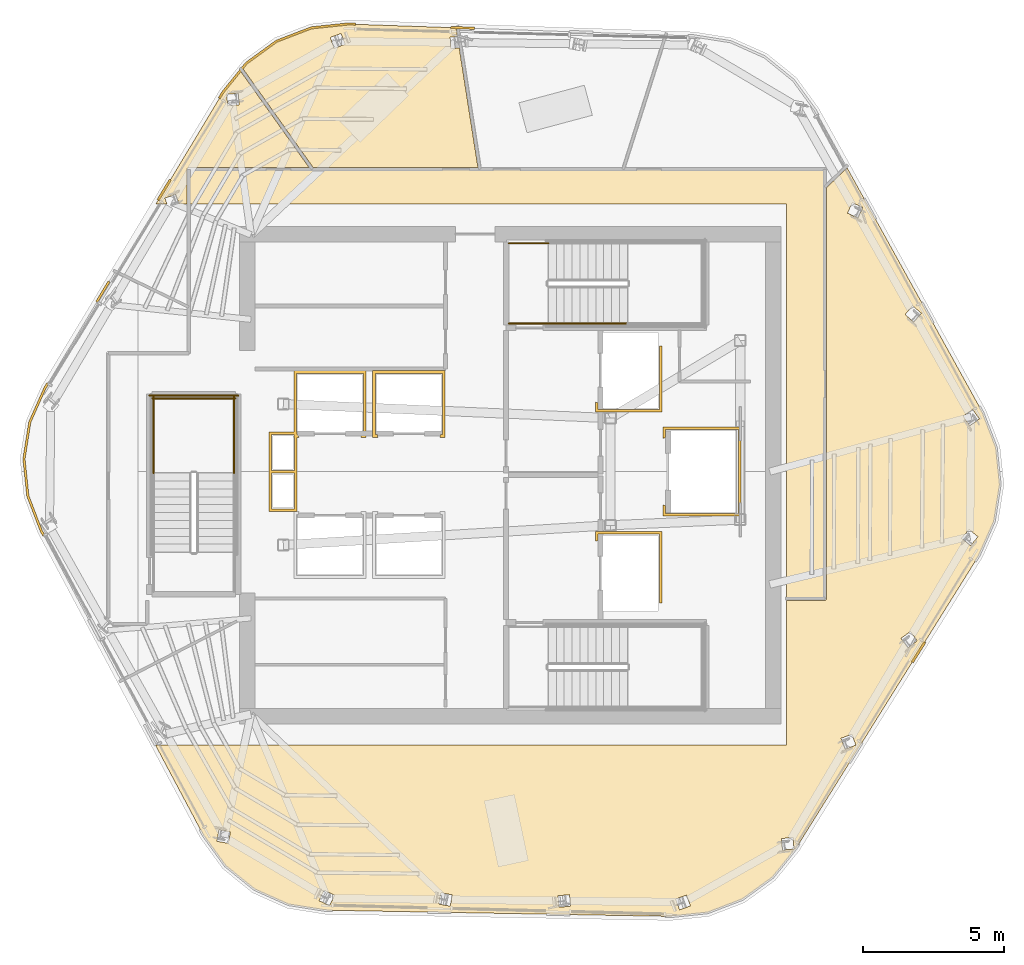
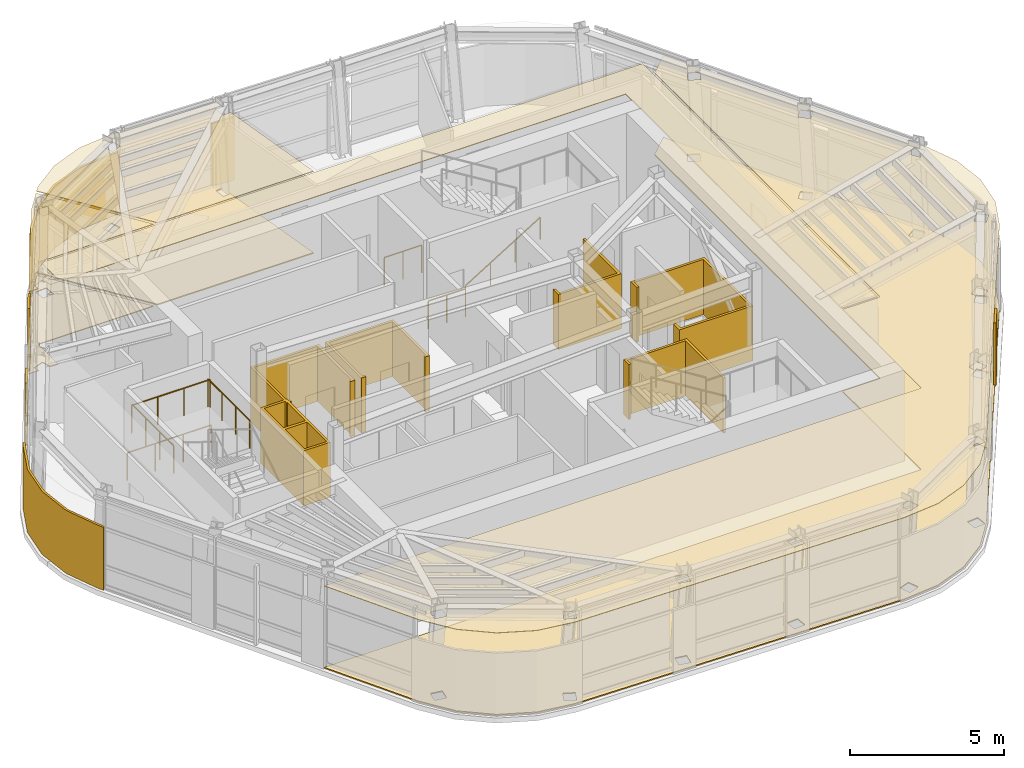
# One storey, part 11 of 13: 18 coverings, 7 railings.
"""IFC4 building model written with IfcOpenShell, lengths in metres."""

from ifc_helpers import new_model, si_unit, direction, frame, origin, origin_2d, place, context, subcontext, project, spatial, polyline, circle, outline, extrude, material, layer, layer_set, type_object, element, save


model = new_model("IFC4")

# Units and contexts
model_context = context("Model", 3, precision=1e-05, world=origin(), true_north=direction((0.0, 1.0)))
body_context = subcontext(model_context, "Body", "Model", "MODEL_VIEW")
ifc_project = project(units=[si_unit("LENGTHUNIT", "METRE"), si_unit("AREAUNIT", "SQUARE_METRE"), si_unit("VOLUMEUNIT", "CUBIC_METRE"), si_unit("PLANEANGLEUNIT", "RADIAN"), si_unit("MASSUNIT", "GRAM", prefix="KILO")], contexts=[model_context])

# Site, building, storey
site_placement = place(None, origin())
site = spatial("IfcSite", under=ifc_project, at=site_placement, CompositionType="ELEMENT")
building_placement = place(site_placement, origin())
building = spatial("IfcBuilding", under=site, at=building_placement, Name="Valkerne Bourse Tower", CompositionType="ELEMENT")
storey_placement = place(building_placement, frame((0.0, 0.0, 277.39990234375)))
storey = spatial("IfcBuildingStorey", under=building, at=storey_placement, Name="L70", CompositionType="ELEMENT", Elevation=277.39990234375)

# Coverings
ifc_material_1 = material(Name="Mineral Fiber Acoustic Ceiling Tile", Category="acoustic")
ifc_layer_1 = layer(ifc_material_1, 0.02490234375)
ifc_layer_set_1 = layer_set([ifc_layer_1], Name="Mineral Fiber Acoustic Ceiling Tile")
covering_type_1 = type_object("IfcCoveringType", Name="COV-CEIL-ACT", PredefinedType="CEILING", material=ifc_layer_set_1)
covering_1_placement = place(storey_placement, frame((0.0, 0.0, 3.25)))
element("IfcCovering", 1, at=covering_1_placement, inside=storey, type_object=covering_type_1, Name="L70 Suspended Ceiling 03", PredefinedType="CEILING", context=body_context, shape_type="SweptSolid", body=[
    extrude(outline(polyline([(39.660400390625, 37.7890625), (35.399658203125, 37.7890625), (35.37109375, 37.78271484375), (35.34814453125, 37.765869140625), (35.3310546875, 37.720703125), (35.3310546875, 36.5), (35.055908203125, 36.5), (34.93603515625, 36.836181640625), (34.55078125, 36.69970703125), (34.54931640625, 36.697998046875), (34.6201171875, 36.5), (34.23095703125, 36.5), (36.609619140625, 40.454345703125), (37.2255859375, 41.215087890625), (39.660400390625, 37.7890625)]), holes=[polyline([(37.18310546875, 40.01025390625), (37.18505859375, 40.01171875), (37.150146484375, 40.416748046875), (36.742919921875, 40.382568359375), (36.740966796875, 40.381103515625), (36.77587890625, 39.97607421875), (37.18310546875, 40.01025390625)])]), origin(), (0.0, 0.0, 1.0), 0.025146484375),
])
covering_2_placement = place(storey_placement, frame((0.0, 0.0, 3.25)))
element("IfcCovering", 2, at=covering_2_placement, inside=storey, type_object=covering_type_1, Name="L70 Suspended Ceiling 06", PredefinedType="CEILING", context=body_context, shape_type="SweptSolid", body=[
    extrude(outline(polyline([(39.7451171875, 42.7353515625), (41.06640625, 42.8740234375), (44.875, 42.742919921875), (44.923583984375, 42.43310546875), (44.666748046875, 42.408935546875), (44.66455078125, 42.40869140625), (44.70263671875, 42.001220703125), (44.987060546875, 42.02783203125), (45.65087890625, 37.7890625), (39.804931640625, 37.7890625), (37.302490234375, 41.310302734375), (37.44580078125, 41.48681640625), (38.51318359375, 42.262451171875), (39.7451171875, 42.7353515625)]), holes=[polyline([(40.93701171875, 42.15478515625), (40.796875, 42.53955078125), (40.41552734375, 42.400634765625), (40.413330078125, 42.39990234375), (40.553466796875, 42.01513671875), (40.934814453125, 42.154052734375), (40.93701171875, 42.15478515625)])]), origin(), (0.0, 0.0, 1.0), 0.025146484375),
])
covering_3_placement = place(storey_placement, frame((0.0, 0.0, 3.25)))
element("IfcCovering", 3, at=covering_3_placement, inside=storey, type_object=covering_type_1, Name="L70 Suspended Ceiling 08", PredefinedType="CEILING", context=body_context, shape_type="SweptSolid", body=[
    extrude(outline(polyline([(63.95458984375, 25.2421875), (63.414306640625, 24.0283203125), (56.935302734375, 13.64892578125), (56.0986328125, 12.61572265625), (55.031005859375, 11.840087890625), (53.79931640625, 11.3671875), (52.476806640625, 11.228271484375), (40.243408203125, 11.44775390625), (38.93115234375, 11.655517578125), (37.725830078125, 12.192138671875), (36.7001953125, 13.022705078125), (35.91943359375, 14.097412109375), (34.214599609375, 17.300048828125), (56.60009765625, 17.300048828125), (56.60009765625, 22.430908203125), (57.95361328125, 22.43115234375), (57.99609375, 22.448486328125), (58.018310546875, 22.489990234375), (58.01904296875, 37.078369140625), (58.744384765625, 37.772216796875), (63.547119140625, 29.097900390625), (64.023193359375, 27.857666015625), (64.1611328125, 26.54541015625), (63.95458984375, 25.2421875)]), holes=[polyline([(44.34033203125, 12.0673828125), (44.338134765625, 12.067626953125), (44.263916015625, 11.6650390625), (44.6630859375, 11.59130859375), (44.665283203125, 11.591064453125), (44.739501953125, 11.99365234375), (44.34033203125, 12.0673828125)]), polyline([(40.1943359375, 12.15380859375), (40.192138671875, 12.154541015625), (40.018310546875, 11.783935546875), (40.385986328125, 11.61181640625), (40.387939453125, 11.610595703125), (40.561767578125, 11.981201171875), (40.1943359375, 12.15380859375)]), polyline([(36.86767578125, 14.22265625), (36.465087890625, 14.293212890625), (36.394287109375, 13.892822265625), (36.396240234375, 13.891357421875), (36.798583984375, 13.82080078125), (36.869384765625, 14.22119140625), (36.86767578125, 14.22265625)]), polyline([(53.186767578125, 11.60009765625), (53.046630859375, 11.98486328125), (52.665283203125, 11.845947265625), (52.6630859375, 11.84521484375), (52.802978515625, 11.46044921875), (53.1845703125, 11.599365234375), (53.186767578125, 11.60009765625)]), polyline([(48.935546875, 11.59130859375), (48.8974609375, 11.998779296875), (48.4931640625, 11.9609375), (48.490966796875, 11.960693359375), (48.529052734375, 11.55322265625), (48.933349609375, 11.591064453125), (48.935546875, 11.59130859375)]), polyline([(56.85888671875, 13.618896484375), (56.82421875, 14.02392578125), (56.4169921875, 13.98974609375), (56.4150390625, 13.98828125), (56.449951171875, 13.583251953125), (56.857177734375, 13.617431640625), (56.85888671875, 13.618896484375)]), polyline([(59.050537109375, 17.302001953125), (58.9140625, 17.684814453125), (58.52880859375, 17.54833984375), (58.527587890625, 17.546630859375), (58.663818359375, 17.163818359375), (59.04931640625, 17.30029296875), (59.050537109375, 17.302001953125)]), polyline([(61.225830078125, 20.998291015625), (60.990478515625, 21.32958984375), (60.656982421875, 21.093505859375), (60.656005859375, 21.091552734375), (60.891357421875, 20.760009765625), (61.22509765625, 20.99609375), (61.225830078125, 20.998291015625)]), polyline([(63.380615234375, 24.69287109375), (63.068603515625, 24.95361328125), (62.805908203125, 24.640869140625), (62.805419921875, 24.638427734375), (63.1171875, 24.377685546875), (63.380126953125, 24.6904296875), (63.380615234375, 24.69287109375)]), polyline([(63.4306640625, 28.87060546875), (63.19677734375, 29.20556640625), (62.86279296875, 28.973388671875), (62.86328125, 28.97119140625), (63.09716796875, 28.635986328125), (63.430908203125, 28.868408203125), (63.4306640625, 28.87060546875)]), polyline([(61.37451171875, 32.6181640625), (61.063232421875, 32.8828125), (60.79931640625, 32.57373046875), (60.800048828125, 32.571533203125), (61.111328125, 32.306884765625), (61.375244140625, 32.615966796875), (61.37451171875, 32.6181640625)]), polyline([(59.2978515625, 36.369384765625), (58.92626953125, 36.53955078125), (58.75634765625, 36.170166015625), (58.757568359375, 36.16845703125), (59.129150390625, 35.998291015625), (59.299072265625, 36.36767578125), (59.2978515625, 36.369384765625)])]), origin(), (0.0, 0.0, 1.0), 0.025146484375),
])
ifc_material_2 = material(Name="Bronze Anodised Aluminium AA 6063-T6", Category="aluminium")
ifc_layer_2 = layer(ifc_material_2, 0.030029296875)
ifc_layer_set_2 = layer_set([ifc_layer_2], Name="Bronze Anodised Aluminium AA 6063-T6")
covering_type_2 = type_object("IfcCoveringType", Name="COV-CEIL-METAL", PredefinedType="CEILING", material=ifc_layer_set_2)
covering_4_placement = place(storey_placement, frame((0.0, 0.0, 3.25)))
element("IfcCovering", 4, at=covering_4_placement, inside=storey, type_object=covering_type_2, Name="L70 Suspended Ceiling 01", PredefinedType="CEILING", context=body_context, shape_type="SweptSolid", body=[
    extrude(outline(polyline([(35.404052734375, 37.716064453125), (57.946044921875, 37.716064453125), (57.946044921875, 22.50390625), (56.60009765625, 22.50390625), (56.60009765625, 36.5), (35.404052734375, 36.5), (35.404052734375, 37.716064453125)])), origin(), (0.0, 0.0, 1.0), 0.025146484375),
])
ifc_layer_3 = layer(ifc_material_2, 0.06005859375)
ifc_layer_set_3 = layer_set([ifc_layer_3], Name="Bronze Anodised Aluminium AA 6063-T6")
covering_type_3 = type_object("IfcCoveringType", Name="COV-CRN-ALUM", PredefinedType="CLADDING", material=ifc_layer_set_3)
covering_5_placement = place(storey_placement, origin())
element("IfcCovering", 5, at=covering_5_placement, inside=storey, type_object=covering_type_3, Name="L70 Wind-Shaped Corner Aluminium Cladding 02", PredefinedType="CLADDING", context=body_context, shape_type="SweptSolid", body=[
    extrude(outline(polyline([(61.08935546875, 20.220703125), (61.021240234375, 20.2626953125), (61.466064453125, 20.97509765625), (61.5341796875, 20.933349609375), (61.08935546875, 20.220703125)])), origin(), (0.0, 0.0, 1.0), 2.5),
])
covering_6_placement = place(storey_placement, origin())
element("IfcCovering", 6, at=covering_6_placement, inside=storey, type_object=covering_type_3, Name="L70 Wind-Shaped Corner Aluminium Cladding 10", PredefinedType="CLADDING", context=body_context, shape_type="SweptSolid", body=[
    extrude(outline(polyline([(30.1298828125, 24.879638671875), (29.650390625, 26.12890625), (29.51123046875, 27.452880859375), (29.719482421875, 28.767578125), (30.263916015625, 29.989990234375), (30.36328125, 30.1552734375), (30.431396484375, 30.11328125), (30.334716796875, 29.952880859375), (29.796875, 28.744384765625), (29.591796875, 27.45068359375), (29.728759765625, 26.147705078125), (30.202880859375, 24.912841796875), (30.290771484375, 24.74755859375), (30.220458984375, 24.70947265625), (30.1298828125, 24.879638671875)])), origin(), (0.0, 0.0, 1.0), 2.5),
])
covering_7_placement = place(storey_placement, origin())
element("IfcCovering", 7, at=covering_7_placement, inside=storey, type_object=covering_type_3, Name="L70 Wind-Shaped Corner Aluminium Cladding 11", PredefinedType="CLADDING", context=body_context, shape_type="SweptSolid", body=[
    extrude(outline(polyline([(32.5341796875, 33.7646484375), (32.6025390625, 33.722900390625), (32.169677734375, 33.0029296875), (32.101318359375, 33.044921875), (32.5341796875, 33.7646484375)])), origin(), (0.0, 0.0, 1.0), 2.5),
])
covering_8_placement = place(storey_placement, origin())
element("IfcCovering", 8, at=covering_8_placement, inside=storey, type_object=covering_type_3, Name="L70 Wind-Shaped Corner Aluminium Cladding 12", PredefinedType="CLADDING", context=body_context, shape_type="SweptSolid", body=[
    extrude(outline(polyline([(34.70556640625, 37.374267578125), (34.773681640625, 37.33251953125), (34.3408203125, 36.612548828125), (34.2724609375, 36.654296875), (34.70556640625, 37.374267578125)])), origin(), (0.0, 0.0, 1.0), 2.5),
])
covering_9_placement = place(storey_placement, origin())
element("IfcCovering", 9, at=covering_9_placement, inside=storey, type_object=covering_type_3, Name="L70 Wind-Shaped Corner Aluminium Cladding 13", PredefinedType="CLADDING", context=body_context, shape_type="SweptSolid", body=[
    extrude(outline(polyline([(36.573486328125, 40.479736328125), (37.4150390625, 41.51904296875), (38.491943359375, 42.301513671875), (39.734619140625, 42.7783203125), (41.064697265625, 42.918212890625), (41.316650390625, 42.909423828125), (41.314453125, 42.82958984375), (41.0673828125, 42.838134765625), (39.753662109375, 42.699951171875), (38.530517578125, 42.23046875), (37.470703125, 41.46044921875), (36.63916015625, 40.43359375), (36.51171875, 40.221923828125), (36.443603515625, 40.263671875), (36.573486328125, 40.479736328125)])), origin(), (0.0, 0.0, 1.0), 2.5),
])
covering_10_placement = place(storey_placement, origin())
element("IfcCovering", 10, at=covering_10_placement, inside=storey, type_object=covering_type_3, Name="L70 Wind-Shaped Corner Aluminium Cladding 14", PredefinedType="CLADDING", context=body_context, shape_type="SweptSolid", body=[
    extrude(outline(polyline([(45.5263671875, 42.7646484375), (45.524169921875, 42.6845703125), (44.6845703125, 42.71337890625), (44.686767578125, 42.79345703125), (45.5263671875, 42.7646484375)])), origin(), (0.0, 0.0, 1.0), 2.5),
])
ifc_material_3 = material(Name="Galvanised Painted Steel", Category="steel")
ifc_layer_4 = layer(ifc_material_3, 0.044921875)
ifc_layer_set_4 = layer_set([ifc_layer_4], Name="Galvanised Painted Steel")
covering_type_4 = type_object("IfcCoveringType", Name="COV-FLR-RAF", PredefinedType="FLOORING", material=ifc_layer_set_4)
covering_11_placement = place(storey_placement, origin())
element("IfcCovering", 11, at=covering_11_placement, inside=storey, type_object=covering_type_4, Name="L70 Floor Finish 06", PredefinedType="FLOORING", context=body_context, shape_type="SweptSolid", body=[
    extrude(outline(polyline([(39.7451171875, 42.7353515625), (41.06640625, 42.8740234375), (44.875, 42.742919921875), (44.923583984375, 42.43310546875), (44.666748046875, 42.408935546875), (44.66455078125, 42.40869140625), (44.70263671875, 42.001220703125), (44.987060546875, 42.02783203125), (45.65087890625, 37.7890625), (39.804931640625, 37.7890625), (37.302490234375, 41.310302734375), (37.44580078125, 41.48681640625), (38.51318359375, 42.262451171875), (39.7451171875, 42.7353515625)]), holes=[polyline([(40.93701171875, 42.15478515625), (40.796875, 42.53955078125), (40.41552734375, 42.400634765625), (40.413330078125, 42.39990234375), (40.553466796875, 42.01513671875), (40.934814453125, 42.154052734375), (40.93701171875, 42.15478515625)])]), origin(), (0.0, 0.0, 1.0), 0.045166015625),
])
covering_12_placement = place(storey_placement, origin())
element("IfcCovering", 12, at=covering_12_placement, inside=storey, type_object=covering_type_4, Name="L70 Floor Finish 08", PredefinedType="FLOORING", context=body_context, shape_type="SweptSolid", body=[
    extrude(outline(polyline([(63.95458984375, 25.2421875), (63.414306640625, 24.0283203125), (56.935302734375, 13.64892578125), (56.0986328125, 12.61572265625), (55.031005859375, 11.840087890625), (53.79931640625, 11.3671875), (52.476806640625, 11.228271484375), (40.243408203125, 11.44775390625), (38.93115234375, 11.655517578125), (37.725830078125, 12.192138671875), (36.7001953125, 13.022705078125), (35.91943359375, 14.097412109375), (34.214599609375, 17.300048828125), (56.60009765625, 17.300048828125), (56.60009765625, 22.430908203125), (57.95361328125, 22.43115234375), (57.99609375, 22.448486328125), (58.018310546875, 22.489990234375), (58.01904296875, 37.078369140625), (58.744384765625, 37.772216796875), (63.547119140625, 29.097900390625), (64.023193359375, 27.857666015625), (64.1611328125, 26.54541015625), (63.95458984375, 25.2421875)]), holes=[polyline([(44.34033203125, 12.0673828125), (44.338134765625, 12.067626953125), (44.263916015625, 11.6650390625), (44.6630859375, 11.59130859375), (44.665283203125, 11.591064453125), (44.739501953125, 11.99365234375), (44.34033203125, 12.0673828125)]), polyline([(40.1943359375, 12.15380859375), (40.192138671875, 12.154541015625), (40.018310546875, 11.783935546875), (40.385986328125, 11.61181640625), (40.387939453125, 11.610595703125), (40.561767578125, 11.981201171875), (40.1943359375, 12.15380859375)]), polyline([(36.86767578125, 14.22265625), (36.465087890625, 14.293212890625), (36.394287109375, 13.892822265625), (36.396240234375, 13.891357421875), (36.798583984375, 13.82080078125), (36.869384765625, 14.22119140625), (36.86767578125, 14.22265625)]), polyline([(53.186767578125, 11.60009765625), (53.046630859375, 11.98486328125), (52.665283203125, 11.845947265625), (52.6630859375, 11.84521484375), (52.802978515625, 11.46044921875), (53.1845703125, 11.599365234375), (53.186767578125, 11.60009765625)]), polyline([(48.935546875, 11.59130859375), (48.8974609375, 11.998779296875), (48.4931640625, 11.9609375), (48.490966796875, 11.960693359375), (48.529052734375, 11.55322265625), (48.933349609375, 11.591064453125), (48.935546875, 11.59130859375)]), polyline([(56.85888671875, 13.618896484375), (56.82421875, 14.02392578125), (56.4169921875, 13.98974609375), (56.4150390625, 13.98828125), (56.449951171875, 13.583251953125), (56.857177734375, 13.617431640625), (56.85888671875, 13.618896484375)]), polyline([(59.050537109375, 17.302001953125), (58.9140625, 17.684814453125), (58.52880859375, 17.54833984375), (58.527587890625, 17.546630859375), (58.663818359375, 17.163818359375), (59.04931640625, 17.30029296875), (59.050537109375, 17.302001953125)]), polyline([(61.225830078125, 20.998291015625), (60.990478515625, 21.32958984375), (60.656982421875, 21.093505859375), (60.656005859375, 21.091552734375), (60.891357421875, 20.760009765625), (61.22509765625, 20.99609375), (61.225830078125, 20.998291015625)]), polyline([(63.380615234375, 24.69287109375), (63.068603515625, 24.95361328125), (62.805908203125, 24.640869140625), (62.805419921875, 24.638427734375), (63.1171875, 24.377685546875), (63.380126953125, 24.6904296875), (63.380615234375, 24.69287109375)]), polyline([(63.4306640625, 28.87060546875), (63.19677734375, 29.20556640625), (62.86279296875, 28.973388671875), (62.86328125, 28.97119140625), (63.09716796875, 28.635986328125), (63.430908203125, 28.868408203125), (63.4306640625, 28.87060546875)]), polyline([(61.37451171875, 32.6181640625), (61.063232421875, 32.8828125), (60.79931640625, 32.57373046875), (60.800048828125, 32.571533203125), (61.111328125, 32.306884765625), (61.375244140625, 32.615966796875), (61.37451171875, 32.6181640625)]), polyline([(59.2978515625, 36.369384765625), (58.92626953125, 36.53955078125), (58.75634765625, 36.170166015625), (58.757568359375, 36.16845703125), (59.129150390625, 35.998291015625), (59.299072265625, 36.36767578125), (59.2978515625, 36.369384765625)])]), origin(), (0.0, 0.0, 1.0), 0.045166015625),
])
ifc_material_4 = material(Name="Polished Granite Stone", Category="masonry")
ifc_layer_5 = layer(ifc_material_4, 0.030029296875)
ifc_layer_set_5 = layer_set([ifc_layer_5], Name="Polished Granite Stone")
covering_type_5 = type_object("IfcCoveringType", Name="COV-FLR-TERRAZZO", PredefinedType="FLOORING", material=ifc_layer_set_5)
covering_13_placement = place(storey_placement, origin())
element("IfcCovering", 13, at=covering_13_placement, inside=storey, type_object=covering_type_5, Name="L70 Floor Finish 03", PredefinedType="FLOORING", context=body_context, shape_type="SweptSolid", body=[
    extrude(outline(polyline([(39.660400390625, 37.7890625), (35.399658203125, 37.7890625), (35.37109375, 37.78271484375), (35.34814453125, 37.765869140625), (35.3310546875, 37.720703125), (35.3310546875, 36.5), (35.055908203125, 36.5), (34.93603515625, 36.836181640625), (34.55078125, 36.69970703125), (34.54931640625, 36.697998046875), (34.6201171875, 36.5), (34.23095703125, 36.5), (36.609619140625, 40.454345703125), (37.2255859375, 41.215087890625), (39.660400390625, 37.7890625)]), holes=[polyline([(37.18310546875, 40.01025390625), (37.18505859375, 40.01171875), (37.150146484375, 40.416748046875), (36.742919921875, 40.382568359375), (36.740966796875, 40.381103515625), (36.77587890625, 39.97607421875), (37.18310546875, 40.01025390625)])]), origin(), (0.0, 0.0, 1.0), 0.030029296875),
])
ifc_material_5 = material(Name="Gypsum Shaftwall Liner Board", Category="gypsum")
ifc_layer_6 = layer(ifc_material_5, 0.080078125)
ifc_layer_set_6 = layer_set([ifc_layer_6], Name="Gypsum Shaftwall Liner Board")
covering_type_6 = type_object("IfcCoveringType", Name="COV-SHF-CLAD", PredefinedType="CLADDING", material=ifc_layer_set_6)
covering_14_placement = place(storey_placement, origin())
element("IfcCovering", 14, at=covering_14_placement, inside=storey, type_object=covering_type_6, Name="L70 Hoistway & Riser Shaftwall Liner 01", PredefinedType="CLADDING", context=body_context, shape_type="SweptSolid", body=[
    extrude(outline(polyline([(52.179931640625, 24.8798828125), (52.179931640625, 22.35009765625), (52.090087890625, 22.35009765625), (52.090087890625, 24.7900390625), (49.909912109375, 24.7900390625), (49.909912109375, 24.560791015625), (49.869384765625, 24.550537109375), (49.827880859375, 24.53564453125), (49.820068359375, 24.531982421875), (49.820068359375, 24.8798828125), (52.179931640625, 24.8798828125)])), origin(), (0.0, 0.0, 1.0), 2.18017578125),
])
covering_15_placement = place(storey_placement, origin())
element("IfcCovering", 15, at=covering_15_placement, inside=storey, type_object=covering_type_6, Name="L70 Hoistway & Riser Shaftwall Liner 04", PredefinedType="CLADDING", context=body_context, shape_type="SweptSolid", body=[
    extrude(outline(polyline([(38.239990234375, 27.0400390625), (38.239990234375, 28.409912109375), (39.1201171875, 28.409912109375), (39.1201171875, 30.580078125), (41.679931640625, 30.580078125), (41.679931640625, 28.219970703125), (41.500732421875, 28.219970703125), (41.511474609375, 28.26220703125), (41.517822265625, 28.305908203125), (41.51806640625, 28.31005859375), (41.590087890625, 28.31005859375), (41.590087890625, 30.489990234375), (39.2099609375, 30.489990234375), (39.2099609375, 28.409912109375), (39.239990234375, 28.409912109375), (39.239990234375, 28.31005859375), (39.281982421875, 28.31005859375), (39.2822265625, 28.305908203125), (39.28857421875, 28.26220703125), (39.29931640625, 28.219970703125), (39.239990234375, 28.219970703125), (39.239990234375, 27.0400390625), (39.239990234375, 26.9599609375), (39.239990234375, 25.590087890625), (38.239990234375, 25.590087890625), (38.239990234375, 26.9599609375), (38.239990234375, 27.0400390625)]), holes=[polyline([(39.14990234375, 26.949951171875), (38.330078125, 26.949951171875), (38.330078125, 25.679931640625), (39.14990234375, 25.679931640625), (39.14990234375, 26.949951171875)]), polyline([(39.14990234375, 28.219970703125), (39.1201171875, 28.219970703125), (39.1201171875, 28.320068359375), (38.330078125, 28.320068359375), (38.330078125, 27.050048828125), (39.14990234375, 27.050048828125), (39.14990234375, 28.219970703125)])]), origin(), (0.0, 0.0, 1.0), 2.18017578125),
])
covering_16_placement = place(storey_placement, origin())
element("IfcCovering", 16, at=covering_16_placement, inside=storey, type_object=covering_type_6, Name="L70 Hoistway & Riser Shaftwall Liner 05", PredefinedType="CLADDING", context=body_context, shape_type="SweptSolid", body=[
    extrude(outline(polyline([(54.97998046875, 28.580078125), (54.97998046875, 25.419921875), (52.219970703125, 25.419921875), (52.219970703125, 25.81787109375), (52.227783203125, 25.814208984375), (52.269287109375, 25.79931640625), (52.31005859375, 25.789306640625), (52.31005859375, 25.510009765625), (54.889892578125, 25.510009765625), (54.889892578125, 28.489990234375), (52.31005859375, 28.489990234375), (52.31005859375, 28.210693359375), (52.269287109375, 28.20068359375), (52.227783203125, 28.185791015625), (52.219970703125, 28.18212890625), (52.219970703125, 28.580078125), (54.97998046875, 28.580078125)])), origin(), (0.0, 0.0, 1.0), 2.18017578125),
])
covering_17_placement = place(storey_placement, origin())
element("IfcCovering", 17, at=covering_17_placement, inside=storey, type_object=covering_type_6, Name="L70 Hoistway & Riser Shaftwall Liner 06", PredefinedType="CLADDING", context=body_context, shape_type="SweptSolid", body=[
    extrude(outline(polyline([(44.47998046875, 28.219970703125), (44.30078125, 28.219970703125), (44.311279296875, 28.26220703125), (44.31787109375, 28.305908203125), (44.318115234375, 28.31005859375), (44.389892578125, 28.31005859375), (44.389892578125, 30.489990234375), (42.010009765625, 30.489990234375), (42.010009765625, 28.31005859375), (42.08203125, 28.31005859375), (42.082275390625, 28.305908203125), (42.088623046875, 28.26220703125), (42.09912109375, 28.219970703125), (41.919921875, 28.219970703125), (41.919921875, 30.580078125), (44.47998046875, 30.580078125), (44.47998046875, 28.219970703125)])), origin(), (0.0, 0.0, 1.0), 2.18017578125),
])
covering_18_placement = place(storey_placement, origin())
element("IfcCovering", 18, at=covering_18_placement, inside=storey, type_object=covering_type_6, Name="L70 Hoistway & Riser Shaftwall Liner 07", PredefinedType="CLADDING", context=body_context, shape_type="SweptSolid", body=[
    extrude(outline(polyline([(49.820068359375, 29.1201171875), (49.820068359375, 29.468017578125), (49.827880859375, 29.46435546875), (49.869384765625, 29.449462890625), (49.909912109375, 29.439208984375), (49.909912109375, 29.2099609375), (52.090087890625, 29.2099609375), (52.090087890625, 31.449951171875), (52.179931640625, 31.449951171875), (52.179931640625, 29.1201171875), (49.820068359375, 29.1201171875)])), origin(), (0.0, 0.0, 1.0), 2.18017578125),
])

# Railings
railing_type_1 = type_object("IfcRailingType", Name="RLG-ST-GUARD-1120", PredefinedType="GUARDRAIL", material=ifc_material_3)
for number, where, name in (
    (19, (46.75, 32.25, 0.0), "L70 ST-2 stair guard 8"),
    (20, (46.75, 35.10009765625, 0.0), "L70 ST-2 stair guard 9"),
):
    element("IfcRailing", number, at=place(storey_placement, frame(where)), inside=storey, type_object=railing_type_1, Name=name, PredefinedType="GUARDRAIL", context=body_context, shape_type="SweptSolid", body=[
        extrude(circle(Radius=0.02392578125, at=origin_2d()), frame((0.0, 0.0, 1.09619140625), z_axis=(1.0, 0.0, 0.0), x_axis=(0.0, 1.0, 0.0)), (0.0, 0.0, 1.0), 1.39990234375),
        extrude(circle(Radius=0.02099609375, at=origin_2d()), origin(), (0.0, 0.0, 1.0), 1.072021484375),
        extrude(circle(Radius=0.02099609375, at=origin_2d()), frame((0.699951171875, 0.0, 0.0)), (0.0, 0.0, 1.0), 1.072021484375),
        extrude(circle(Radius=0.02099609375, at=origin_2d()), frame((1.39990234375, 0.0, 0.0)), (0.0, 0.0, 1.0), 1.072021484375),
    ])
for number, where, name in (
    (21, (37.0, 26.949951171875, 1.900146484375), "L70 ST-3 stair guard 3"),
    (22, (34.14990234375, 26.949951171875, 1.900146484375), "L70 ST-3 stair guard 4"),
):
    element("IfcRailing", number, at=place(storey_placement, frame(where)), inside=storey, type_object=railing_type_1, Name=name, PredefinedType="GUARDRAIL", context=body_context, shape_type="SweptSolid", body=[
        extrude(circle(Radius=0.02392578125, at=origin_2d()), frame((0.0, 0.0, 1.09619140625), z_axis=(0.0, 1.0, 0.0), x_axis=(-1.0, 0.0, 0.0)), (0.0, 0.0, 1.0), 2.699951171875),
        extrude(circle(Radius=0.02099609375, at=origin_2d()), origin(), (0.0, 0.0, 1.0), 1.072021484375),
        extrude(circle(Radius=0.02099609375, at=origin_2d()), frame((0.0, 0.89990234375, 0.0)), (0.0, 0.0, 1.0), 1.072021484375),
        extrude(circle(Radius=0.02099609375, at=origin_2d()), frame((0.0, 1.800048828125, 0.0)), (0.0, 0.0, 1.0), 1.072021484375),
        extrude(circle(Radius=0.02099609375, at=origin_2d()), frame((0.0, 2.699951171875, 0.0)), (0.0, 0.0, 1.0), 1.072021484375),
    ])
railing_1_placement = place(storey_placement, frame((37.050048828125, 29.60009765625, 1.900146484375)))
element("IfcRailing", 23, at=railing_1_placement, inside=storey, type_object=railing_type_1, Name="L70 ST-3 stair guard 5", PredefinedType="GUARDRAIL", context=body_context, shape_type="SweptSolid", body=[
    extrude(circle(Radius=0.02392578125, at=origin_2d()), frame((0.0, 0.0, 1.09619140625), z_axis=(-1.0, 0.0, 0.0), x_axis=(0.0, -1.0, 0.0)), (0.0, 0.0, 1.0), 2.949951171875),
    extrude(circle(Radius=0.02099609375, at=origin_2d()), origin(), (0.0, 0.0, 1.0), 1.072021484375),
    extrude(circle(Radius=0.02099609375, at=origin_2d()), frame((-0.9833984375, 0.0, 0.0)), (0.0, 0.0, 1.0), 1.072021484375),
    extrude(circle(Radius=0.02099609375, at=origin_2d()), frame((-1.966552734375, 0.0, 0.0)), (0.0, 0.0, 1.0), 1.072021484375),
    extrude(circle(Radius=0.02099609375, at=origin_2d()), frame((-2.949951171875, 0.0, 0.0)), (0.0, 0.0, 1.0), 1.072021484375),
])
railing_2_placement = place(storey_placement, frame((37.14990234375, 29.699951171875, 0.0)))
element("IfcRailing", 24, at=railing_2_placement, inside=storey, type_object=railing_type_1, Name="L70 ST-3 stair guard 12", PredefinedType="GUARDRAIL", context=body_context, shape_type="SweptSolid", body=[
    extrude(circle(Radius=0.02392578125, at=origin_2d()), frame((0.0, 0.0, 1.09619140625), z_axis=(-1.0, 0.0, 0.0), x_axis=(0.0, -1.0, 0.0)), (0.0, 0.0, 1.0), 3.14990234375),
    extrude(circle(Radius=0.02099609375, at=origin_2d()), origin(), (0.0, 0.0, 1.0), 1.072021484375),
    extrude(circle(Radius=0.02099609375, at=origin_2d()), frame((-1.050048828125, 0.0, 0.0)), (0.0, 0.0, 1.0), 1.072021484375),
    extrude(circle(Radius=0.02099609375, at=origin_2d()), frame((-2.099853515625, 0.0, 0.0)), (0.0, 0.0, 1.0), 1.072021484375),
    extrude(circle(Radius=0.02099609375, at=origin_2d()), frame((-3.14990234375, 0.0, 0.0)), (0.0, 0.0, 1.0), 1.072021484375),
])
ifc_material_6 = material(Name="Stainless Steel AISI 316", Category="steel")
railing_type_2 = type_object("IfcRailingType", Name="RLG-ST-HANDRAIL-900", PredefinedType="HANDRAIL", material=ifc_material_6)
railing_3_placement = place(storey_placement, frame((48.14990234375, 32.25, 0.345458984375)))
element("IfcRailing", 25, at=railing_3_placement, inside=storey, type_object=railing_type_2, Name="L70 ST-2 stair handrail 1", PredefinedType="HANDRAIL", context=body_context, shape_type="SweptSolid", body=[
    extrude(circle(Radius=0.02392578125, at=origin_2d()), frame((0.0, 0.0, 0.8759765625), z_axis=(0.851089632645, 0.0, 0.525020415988), x_axis=(0.0, 1.0, 0.0)), (0.0, 0.0, 1.0), 3.2900390625),
    extrude(circle(Radius=0.02099609375, at=origin_2d()), origin(), (0.0, 0.0, 1.0), 0.851806640625),
    extrude(circle(Radius=0.02099609375, at=origin_2d()), frame((0.933349609375, 0.0, 0.57568359375)), (0.0, 0.0, 1.0), 0.851806640625),
    extrude(circle(Radius=0.02099609375, at=origin_2d()), frame((1.86669921875, 0.0, 1.151611328125)), (0.0, 0.0, 1.0), 0.851806640625),
    extrude(circle(Radius=0.02099609375, at=origin_2d()), frame((2.800048828125, 0.0, 1.727294921875)), (0.0, 0.0, 1.0), 0.851806640625),
])

save(model, "model.ifc")
